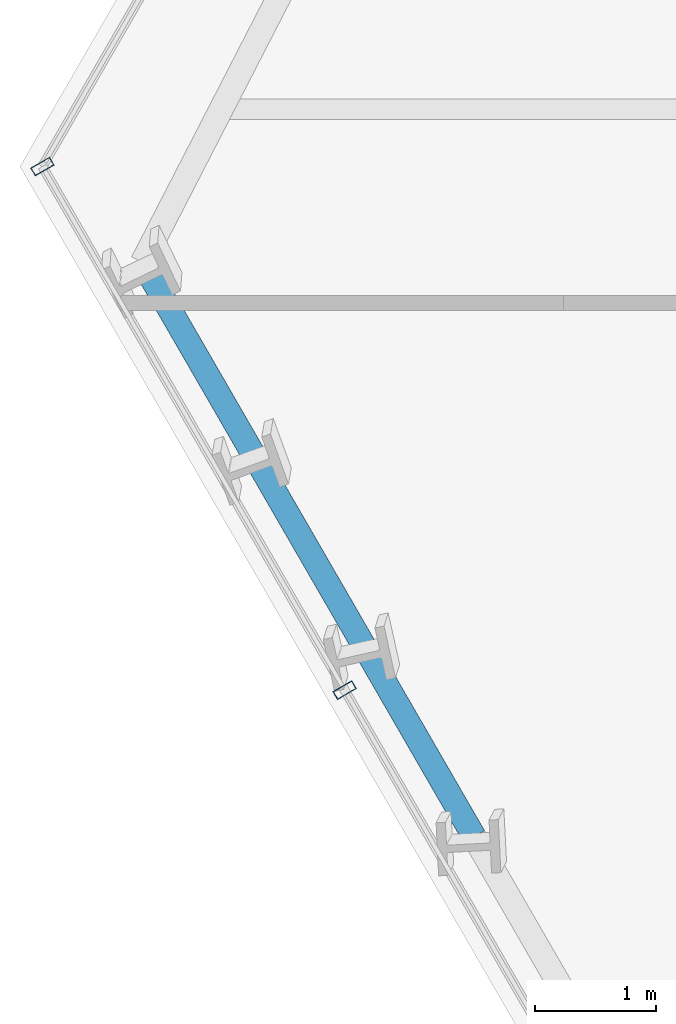
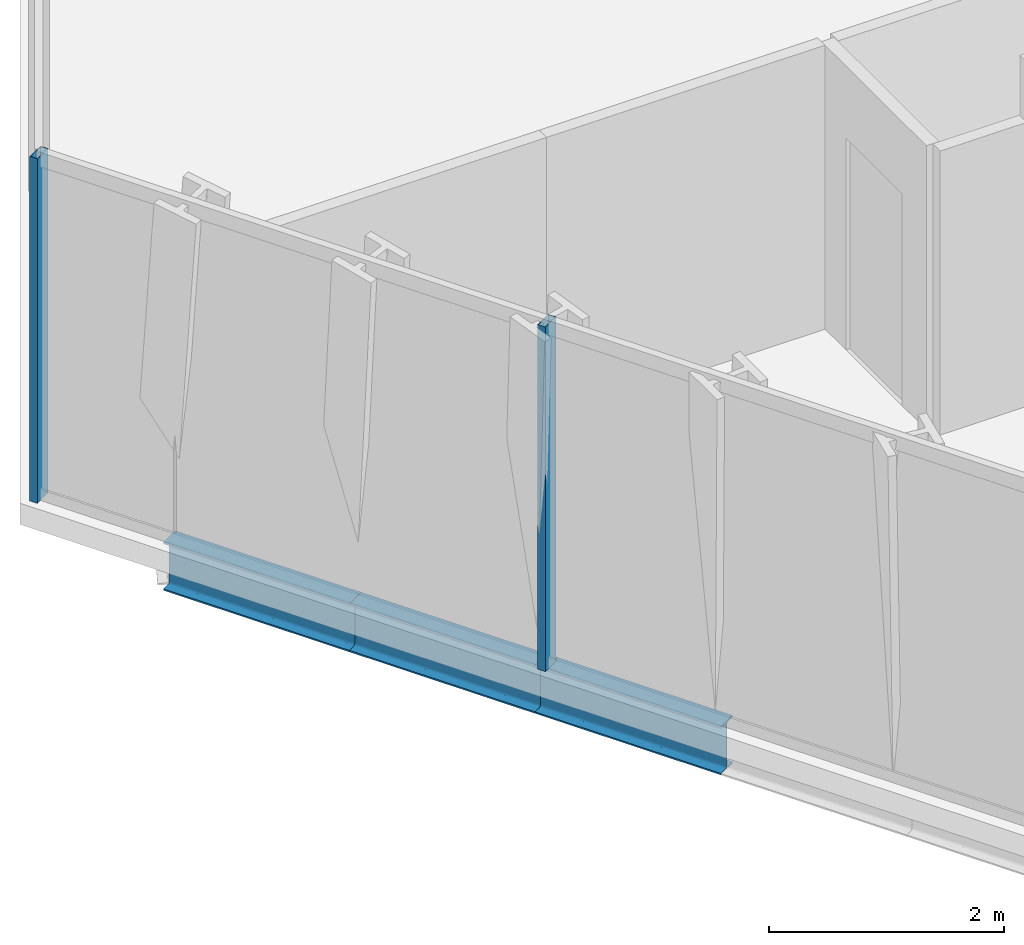
# One storey, part 5 of 32: 3 beams, 2 members, 1 element without a shape of its own.
"""IFC4 building model written with IfcOpenShell, lengths in metres."""

from ifc_helpers import new_model, si_unit, direction, frame, origin, origin_2d, place, context, subcontext, project, spatial, hollow_rectangle, i_section, extrude, material, layer, layer_set, material_profile, profile_set, type_object, element, aggregate, save


model = new_model("IFC4")

# Units and contexts
model_context = context("Model", 3, precision=1e-05, world=origin(), true_north=direction((0.0, 1.0)))
body_context = subcontext(model_context, "Body", "Model", "MODEL_VIEW")
ifc_project = project(units=[si_unit("LENGTHUNIT", "METRE"), si_unit("AREAUNIT", "SQUARE_METRE"), si_unit("VOLUMEUNIT", "CUBIC_METRE"), si_unit("PLANEANGLEUNIT", "RADIAN"), si_unit("MASSUNIT", "GRAM", prefix="KILO")], contexts=[model_context])

# Site, building, storey
site_placement = place(None, origin())
site = spatial("IfcSite", under=ifc_project, at=site_placement, CompositionType="ELEMENT")
building_placement = place(site_placement, origin())
building = spatial("IfcBuilding", under=site, at=building_placement, Name="Ndaravel Arena Tower", CompositionType="ELEMENT")
storey_placement = place(building_placement, frame((0.0, 0.0, 77.800048828125)))
storey = spatial("IfcBuildingStorey", under=building, at=storey_placement, Name="L17", CompositionType="ELEMENT", Elevation=77.800048828125)

# Beams
ifc_material_1 = material(Name="Steel S355", Category="steel")
ifc_material_profile_1 = material_profile(ifc_material_1, i_section(OverallWidth=0.199951171875, OverallDepth=0.5, WebThickness=0.01025390625, FlangeThickness=0.01611328125, FilletRadius=0.02099609375, at=origin_2d()), Name="IPE 500")
ifc_profile_set_1 = profile_set([ifc_material_profile_1], Name="Steel S355")
beam_type = type_object("IfcBeamType", Name="BM-SPAN-IPE500", PredefinedType="SPANDREL", material=ifc_profile_set_1)
for number, where, z_axis, x_axis, name in (
    (1, (19.324462890625, 17.336669921875, -0.469970703125), (0.500065901226, -0.86598735235, 0.0), (0.86598735235, 0.500065901226, 0.0), "L17 Perimeter Spandrel Beam SP-20"),
    (2, (20.2373046875, 15.755859375, -0.469970703125), (0.499907684424, -0.866078695647, 0.0), (0.866078695647, 0.499907684424, 0.0), "L17 Perimeter Spandrel Beam SP-21"),
    (3, (21.14990234375, 14.1748046875, -0.469970703125), (0.499965592563, -0.866045268016, 0.0), (0.866045268016, 0.499965592563, 0.0), "L17 Perimeter Spandrel Beam SP-22"),
):
    element("IfcBeam", number, at=place(storey_placement, frame(where, z_axis=z_axis, x_axis=x_axis)), inside=storey, type_object=beam_type, Name=name, PredefinedType="SPANDREL", context=body_context, shape_type="SweptSolid", body=[
        extrude(i_section(OverallWidth=0.199951171875, OverallDepth=0.5, WebThickness=0.01025390625, FlangeThickness=0.01611328125, FilletRadius=0.02099609375, at=origin_2d()), origin(), (0.0, 0.0, 1.0), 1.825439453125),
    ])

# Curtain wall, members
ifc_material_2 = material(Name="Aluminium", Category="aluminium")
ifc_layer = layer(ifc_material_2, 0.179931640625)
ifc_layer_set = layer_set([ifc_layer], Name="Aluminium")
curtain_wall_type = type_object("IfcCurtainWallType", Name="CW-SYS-02", PredefinedType="NOTDEFINED", material=ifc_layer_set)
curtain_wall_placement = place(storey_placement, origin())
curtain_wall = element("IfcCurtainWall", 4, at=curtain_wall_placement, inside=storey, type_object=curtain_wall_type, Name="L17 Faceted Crystal Curtain Wall CW-L17-E06", PredefinedType="NOTDEFINED")
ifc_material_3 = material(Name="Aluminium", Category="aluminium")
ifc_material_profile_2 = material_profile(ifc_material_3, hollow_rectangle(XDim=0.074951171875, YDim=0.179931640625, WallThickness=0.00390625, at=origin_2d()), Name="CW MULLION 75x180x4")
ifc_profile_set_2 = profile_set([ifc_material_profile_2], Name="Aluminium")
member_type = type_object("IfcMemberType", Name="MEM-CW-MUL180", PredefinedType="MULLION", material=ifc_profile_set_2)
member_1_placement = place(storey_placement, frame((18.49853515625, 18.127197265625, 0.0), z_axis=(0.0, 0.0, 1.0), x_axis=(0.5, -0.866025403784, 0.0)))
member_1 = element("IfcMember", 5, at=member_1_placement, type_object=member_type, Name="CW-L17-E06 Mullion 00", PredefinedType="MULLION", context=body_context, shape_type="SweptSolid", body=[
    extrude(hollow_rectangle(XDim=0.074951171875, YDim=0.179931640625, WallThickness=0.00390625, at=origin_2d()), origin(), (0.0, 0.0, 1.0), 3.579833984375),
])
member_2_placement = place(storey_placement, frame((20.994140625, 13.8046875, 0.0), z_axis=(0.0, 0.0, 1.0), x_axis=(0.5, -0.866025403784, 0.0)))
member_2 = element("IfcMember", 6, at=member_2_placement, type_object=member_type, Name="CW-L17-E06 Mullion 01", PredefinedType="MULLION", context=body_context, shape_type="SweptSolid", body=[
    extrude(hollow_rectangle(XDim=0.074951171875, YDim=0.179931640625, WallThickness=0.00390625, at=origin_2d()), origin(), (0.0, 0.0, 1.0), 3.579833984375),
])
aggregate(curtain_wall, [member_1, member_2])

save(model, "model.ifc")
